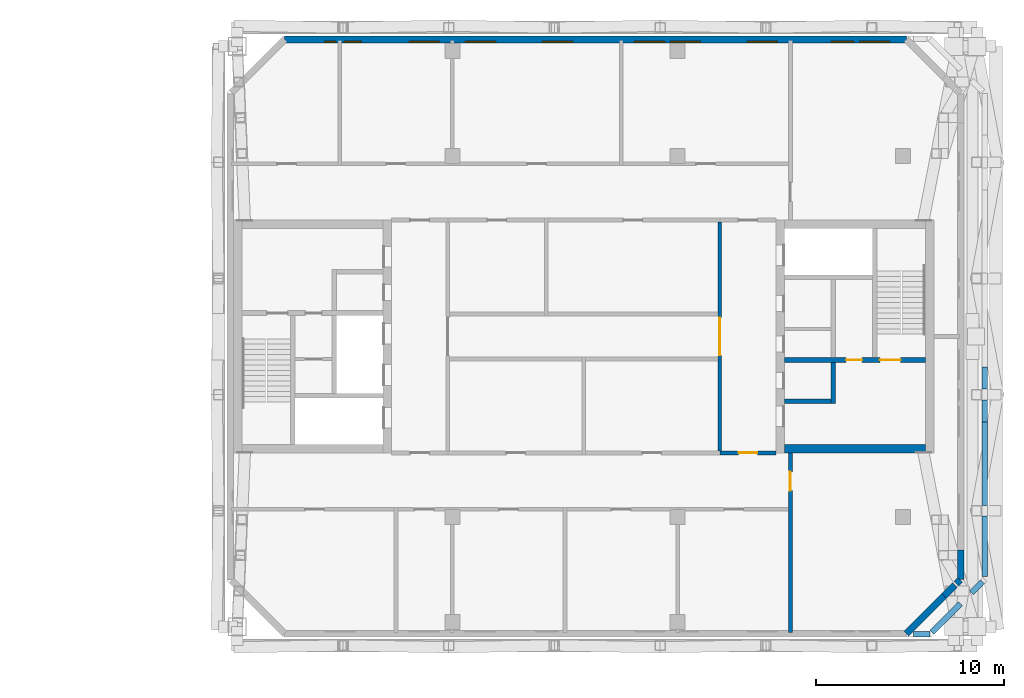
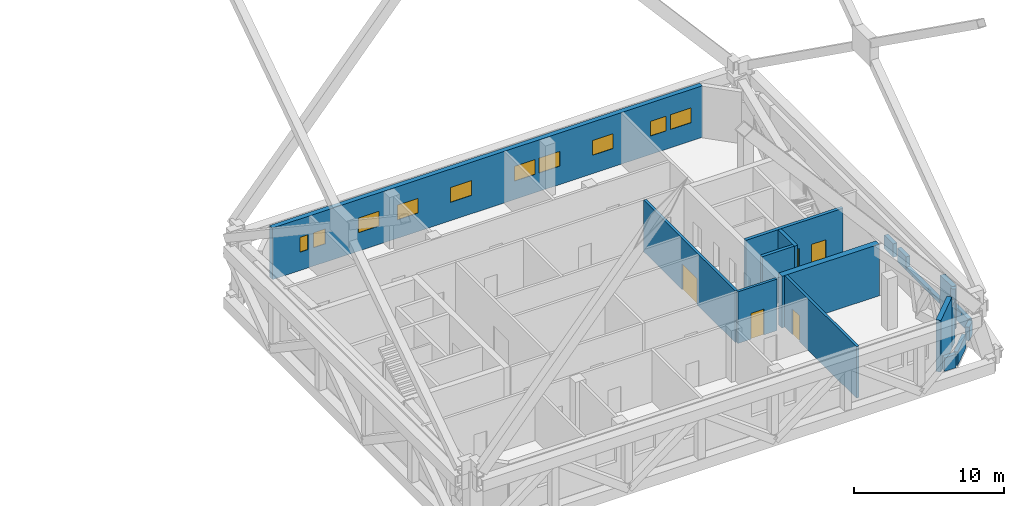
# One storey, part 13 of 20: 19 walls, 10 windows, 5 doors, 15 openings.
"""IFC4 building model written with IfcOpenShell, lengths in metres."""

from ifc_helpers import new_model, si_unit, direction, frame, frame_2d, origin, place, context, subcontext, project, spatial, rectangle, extrude, material, layer, layer_set, type_object, element, fill, save


model = new_model("IFC4")

# Units and contexts
model_context = context("Model", 3, precision=1e-05, world=origin(), true_north=direction((0.0, 1.0)))
body_context = subcontext(model_context, "Body", "Model", "MODEL_VIEW")
ifc_project = project(units=[si_unit("LENGTHUNIT", "METRE"), si_unit("AREAUNIT", "SQUARE_METRE"), si_unit("VOLUMEUNIT", "CUBIC_METRE"), si_unit("PLANEANGLEUNIT", "RADIAN"), si_unit("MASSUNIT", "GRAM", prefix="KILO")], contexts=[model_context])

# Site, building, storey
site_placement = place(None, origin())
site = spatial("IfcSite", under=ifc_project, at=site_placement, CompositionType="ELEMENT")
building_placement = place(site_placement, origin())
building = spatial("IfcBuilding", under=site, at=building_placement, Name="Tuart Gate Housing", CompositionType="ELEMENT")
storey_placement = place(building_placement, frame((0.0, 0.0, 167.10009765625)))
storey = spatial("IfcBuildingStorey", under=building, at=storey_placement, Name="L47", CompositionType="ELEMENT", Elevation=167.10009765625)

# Walls
ifc_material_1 = material(Name="Brick", Category="masonry")
ifc_layer_1 = layer(ifc_material_1, 0.300048828125)
ifc_layer_set_1 = layer_set([ifc_layer_1], Name="Brick parapet wall 300")
wall_type_1 = type_object("IfcWallType", Name="Brick parapet wall 300", PredefinedType="PARAPET", material=ifc_layer_set_1)
wall_1_placement = place(storey_placement, frame((167.550048828125, 54.14990234375, 0.0), z_axis=(0.0, 0.0, 1.0), x_axis=(1.0, 0.0, 0.0)))
element("IfcWall", 1, at=wall_1_placement, inside=storey, type_object=wall_type_1, Name="Roof parapet B 1", PredefinedType="PARAPET", context=body_context, shape_type="SweptSolid", body=[
    extrude(rectangle(XDim=0.887939453125, YDim=0.300048828125, at=frame_2d((0.44384765625, 0.0))), origin(), (0.0, 0.0, 1.0), 1.099853515625),
])
wall_2_placement = place(storey_placement, frame((168.54541015625, 54.257568359375, 0.0), z_axis=(0.0, 0.0, 1.0), x_axis=(0.707106781187, 0.707106781187, 0.0)))
element("IfcWall", 2, at=wall_2_placement, inside=storey, type_object=wall_type_1, Name="Roof parapet B 2", PredefinedType="PARAPET", context=body_context, shape_type="SweptSolid", body=[
    extrude(rectangle(XDim=2.148193359375, YDim=0.300048828125, at=frame_2d((1.07421875, 0.0))), origin(), (0.0, 0.0, 1.0), 1.099853515625),
])
wall_3_placement = place(storey_placement, frame((170.6484375, 56.360595703125, 0.0), z_axis=(0.0, 0.0, 1.0), x_axis=(0.706958244949, 0.707255286229, 0.0)))
element("IfcWall", 3, at=wall_3_placement, inside=storey, type_object=wall_type_1, Name="Roof parapet B 2", PredefinedType="PARAPET", context=body_context, shape_type="SweptSolid", body=[
    extrude(rectangle(XDim=0.822021484375, YDim=0.300048828125, at=frame_2d((0.4111328125, 0.0))), origin(), (0.0, 0.0, 1.0), 1.099853515625),
])
wall_4_placement = place(storey_placement, frame((171.35009765625, 57.214111328125, 0.0), z_axis=(0.0, 0.0, 1.0), x_axis=(0.0, 1.0, 0.0)))
element("IfcWall", 4, at=wall_4_placement, inside=storey, type_object=wall_type_1, Name="Roof parapet B 3", PredefinedType="PARAPET", context=body_context, shape_type="SweptSolid", body=[
    extrude(rectangle(XDim=3.23291015625, YDim=0.300048828125, at=frame_2d((1.616455078125, 0.0))), origin(), (0.0, 0.0, 1.0), 1.035888671875),
])
wall_5_placement = place(storey_placement, frame((171.35009765625, 61.012939453125, 0.0), z_axis=(0.0, 0.0, 1.0), x_axis=(0.0, 1.0, 0.0)))
element("IfcWall", 5, at=wall_5_placement, inside=storey, type_object=wall_type_1, Name="Roof parapet B 3", PredefinedType="PARAPET", context=body_context, shape_type="SweptSolid", body=[
    extrude(rectangle(XDim=4.42822265625, YDim=0.300048828125, at=frame_2d((2.214111328125, 0.0))), origin(), (0.0, 0.0, 1.0), 0.260009765625),
])
for number, where, z_axis, x_axis, name in (
    (6, (171.35009765625, 65.441162109375, 0.0), (0.0, 0.0, 1.0), (0.0, 1.0, 0.0), "Roof parapet B 3"),
    (7, (171.35009765625, 67.193115234375, 0.0), (0.0, 0.0, 1.0), (0.0, 1.0, 0.0), "Roof parapet B 3"),
):
    element("IfcWall", number, at=place(storey_placement, frame(where, z_axis=z_axis, x_axis=x_axis)), inside=storey, type_object=wall_type_1, Name=name, PredefinedType="PARAPET", context=body_context, shape_type="SweptSolid", body=[
        extrude(rectangle(XDim=1.185791015625, YDim=0.300048828125, at=frame_2d((0.5927734375, 0.0))), origin(), (0.0, 0.0, 1.0), 1.099853515625),
    ])
ifc_material_2 = material(Name="Brick", Category="masonry")
ifc_layer_2 = layer(ifc_material_2, 0.360107421875)
ifc_layer_set_2 = layer_set([ifc_layer_2], Name="Brick pier and spandrel wall 360")
wall_type_2 = type_object("IfcWallType", Name="Brick pier and spandrel wall 360", PredefinedType="STANDARD", material=ifc_layer_set_2)
wall_6_placement = place(storey_placement, frame((167.17529296875, 54.179931640625, 0.0), z_axis=(0.0, 0.0, 1.0), x_axis=(0.707106781187, 0.707106781187, 0.0)))
element("IfcWall", 8, at=wall_6_placement, inside=storey, type_object=wall_type_2, Name="External wall B-SE L47", PredefinedType="STANDARD", context=body_context, shape_type="SweptSolid", body=[
    extrude(rectangle(XDim=2.839111328125, YDim=0.360107421875, at=frame_2d((1.41943359375, 0.0))), origin(), (0.0, 0.0, 1.0), 4.199951171875),
])
wall_7_placement = place(storey_placement, frame((169.182861328125, 56.1875, 0.0), z_axis=(0.0, 0.0, 1.0), x_axis=(0.707255223877, 0.706958307327, 0.0)))
element("IfcWall", 9, at=wall_7_placement, inside=storey, type_object=wall_type_2, Name="External wall B-SE L47", PredefinedType="STANDARD", context=body_context, shape_type="SweptSolid", body=[
    extrude(rectangle(XDim=0.822265625, YDim=0.360107421875, at=frame_2d((0.4111328125, 0.0))), origin(), (0.0, 0.0, 1.0), 3.39697265625),
])
wall_8_placement = place(storey_placement, frame((169.838623046875, 56.84326171875, 0.952880859375), z_axis=(0.0, 0.0, 1.0), x_axis=(0.707106781187, 0.707106781187, 0.0)))
element("IfcWall", 10, at=wall_8_placement, inside=storey, type_object=wall_type_2, Name="External wall B-SE L47", PredefinedType="STANDARD", context=body_context, shape_type="SweptSolid", body=[
    extrude(rectangle(XDim=0.27734375, YDim=0.360107421875, at=frame_2d((0.138671875, 0.0))), origin(), (0.0, 0.0, 1.0), 3.2470703125),
])
wall_9_placement = place(storey_placement, frame((170.070068359375, 57.07470703125, 0.952880859375), z_axis=(0.0, 0.0, 1.0), x_axis=(0.0, 1.0, 0.0)))
element("IfcWall", 11, at=wall_9_placement, inside=storey, type_object=wall_type_2, Name="External wall B-E L47", PredefinedType="STANDARD", context=body_context, shape_type="SweptSolid", body=[
    extrude(rectangle(XDim=1.566650390625, YDim=0.360107421875, at=frame_2d((0.783203125, 0.0))), origin(), (0.0, 0.0, 1.0), 3.2470703125),
])

# Wall, openings, windows
wall_10_placement = place(storey_placement, frame((167.17529296875, 85.820068359375, 0.0), z_axis=(0.0, 0.0, 1.0), x_axis=(-1.0, 0.0, 0.0)))
wall_10 = element("IfcWall", 12, at=wall_10_placement, inside=storey, type_object=wall_type_2, Name="External wall B-N L47", PredefinedType="STANDARD", context=body_context, shape_type="SweptSolid", body=[
    extrude(rectangle(XDim=33.100830078125, YDim=0.360107421875, at=frame_2d((16.55029296875, 0.0))), origin(), (0.0, 0.0, 1.0), 4.199951171875),
])
opening_1_placement = place(wall_10_placement, frame((0.87548828125, 0.0, 1.5)))
opening_1 = element("IfcOpeningElement", 13, at=opening_1_placement, cuts=wall_10, Name="Opening W3", PredefinedType="OPENING", context=body_context, shape_type="SweptSolid", body=[
    extrude(rectangle(XDim=1.60009765625, YDim=1.199951171875, at=frame_2d((0.800048828125, 0.60009765625))), frame((0.0, 0.18994140625, 0.0), z_axis=(0.0, -1.0, 0.0), x_axis=(1.0, 0.0, 0.0)), (0.0, 0.0, 1.0), 0.380126953125),
])
opening_2_placement = place(wall_10_placement, frame((2.800048828125, 0.0, 1.5)))
opening_2 = element("IfcOpeningElement", 14, at=opening_2_placement, cuts=wall_10, Name="Opening W3A", PredefinedType="OPENING", context=body_context, shape_type="SweptSolid", body=[
    extrude(rectangle(XDim=1.199951171875, YDim=1.199951171875, at=frame_2d((0.60009765625, 0.60009765625))), frame((0.0, 0.18994140625, 0.0), z_axis=(0.0, -1.0, 0.0), x_axis=(1.0, 0.0, 0.0)), (0.0, 0.0, 1.0), 0.380126953125),
])
opening_3_placement = place(wall_10_placement, frame((6.87548828125, 0.0, 1.5)))
opening_3 = element("IfcOpeningElement", 15, at=opening_3_placement, cuts=wall_10, Name="Opening W3", PredefinedType="OPENING", context=body_context, shape_type="SweptSolid", body=[
    extrude(rectangle(XDim=1.60009765625, YDim=1.199951171875, at=frame_2d((0.800048828125, 0.60009765625))), frame((0.0, 0.18994140625, 0.0), z_axis=(0.0, -1.0, 0.0), x_axis=(1.0, 0.0, 0.0)), (0.0, 0.0, 1.0), 0.380126953125),
])
opening_4_placement = place(wall_10_placement, frame((10.975341796875, 0.0, 1.5)))
opening_4 = element("IfcOpeningElement", 16, at=opening_4_placement, cuts=wall_10, Name="Opening W3", PredefinedType="OPENING", context=body_context, shape_type="SweptSolid", body=[
    extrude(rectangle(XDim=1.60009765625, YDim=1.199951171875, at=frame_2d((0.800048828125, 0.60009765625))), frame((0.0, 0.18994140625, 0.0), z_axis=(0.0, -1.0, 0.0), x_axis=(1.0, 0.0, 0.0)), (0.0, 0.0, 1.0), 0.380126953125),
])
opening_5_placement = place(wall_10_placement, frame((12.87548828125, 0.0, 1.5)))
opening_5 = element("IfcOpeningElement", 17, at=opening_5_placement, cuts=wall_10, Name="Opening W3", PredefinedType="OPENING", context=body_context, shape_type="SweptSolid", body=[
    extrude(rectangle(XDim=1.60009765625, YDim=1.199951171875, at=frame_2d((0.800048828125, 0.60009765625))), frame((0.0, 0.18994140625, 0.0), z_axis=(0.0, -1.0, 0.0), x_axis=(1.0, 0.0, 0.0)), (0.0, 0.0, 1.0), 0.380126953125),
])
opening_6_placement = place(wall_10_placement, frame((17.775390625, 0.0, 1.5)))
opening_6 = element("IfcOpeningElement", 18, at=opening_6_placement, cuts=wall_10, Name="Opening W3", PredefinedType="OPENING", context=body_context, shape_type="SweptSolid", body=[
    extrude(rectangle(XDim=1.60009765625, YDim=1.199951171875, at=frame_2d((0.800048828125, 0.60009765625))), frame((0.0, 0.18994140625, 0.0), z_axis=(0.0, -1.0, 0.0), x_axis=(1.0, 0.0, 0.0)), (0.0, 0.0, 1.0), 0.380126953125),
])
opening_7_placement = place(wall_10_placement, frame((21.87548828125, 0.0, 1.5)))
opening_7 = element("IfcOpeningElement", 19, at=opening_7_placement, cuts=wall_10, Name="Opening W3", PredefinedType="OPENING", context=body_context, shape_type="SweptSolid", body=[
    extrude(rectangle(XDim=1.60009765625, YDim=1.199951171875, at=frame_2d((0.800048828125, 0.60009765625))), frame((0.0, 0.18994140625, 0.0), z_axis=(0.0, -1.0, 0.0), x_axis=(1.0, 0.0, 0.0)), (0.0, 0.0, 1.0), 0.380126953125),
])
opening_8_placement = place(wall_10_placement, frame((24.87548828125, 0.0, 1.5)))
opening_8 = element("IfcOpeningElement", 20, at=opening_8_placement, cuts=wall_10, Name="Opening W3", PredefinedType="OPENING", context=body_context, shape_type="SweptSolid", body=[
    extrude(rectangle(XDim=1.60009765625, YDim=1.199951171875, at=frame_2d((0.800048828125, 0.60009765625))), frame((0.0, 0.18994140625, 0.0), z_axis=(0.0, -1.0, 0.0), x_axis=(1.0, 0.0, 0.0)), (0.0, 0.0, 1.0), 0.380126953125),
])
opening_9_placement = place(wall_10_placement, frame((29.025390625, 0.0, 1.5)))
opening_9 = element("IfcOpeningElement", 21, at=opening_9_placement, cuts=wall_10, Name="Opening W3B", PredefinedType="OPENING", context=body_context, shape_type="SweptSolid", body=[
    extrude(rectangle(XDim=0.89990234375, YDim=1.199951171875, at=frame_2d((0.449951171875, 0.60009765625))), frame((0.0, 0.18994140625, 0.0), z_axis=(0.0, -1.0, 0.0), x_axis=(1.0, 0.0, 0.0)), (0.0, 0.0, 1.0), 0.380126953125),
])
opening_10_placement = place(wall_10_placement, frame((30.37548828125, 0.0, 1.5)))
opening_10 = element("IfcOpeningElement", 22, at=opening_10_placement, cuts=wall_10, Name="Opening W3C", PredefinedType="OPENING", context=body_context, shape_type="SweptSolid", body=[
    extrude(rectangle(XDim=0.60009765625, YDim=1.199951171875, at=frame_2d((0.300048828125, 0.60009765625))), frame((0.0, 0.18994140625, 0.0), z_axis=(0.0, -1.0, 0.0), x_axis=(1.0, 0.0, 0.0)), (0.0, 0.0, 1.0), 0.380126953125),
])
ifc_material_3 = material(Name="Aluminium louvre blades", Category="aluminium")
window_type_1 = type_object("IfcWindowType", Name="Louvre window 1200 x 1200", PartitioningType="DOUBLE_PANEL_HORIZONTAL", PredefinedType="WINDOW", material=ifc_material_3)
window_1_placement = place(opening_2_placement, origin())
window_1 = element("IfcWindow", 23, at=window_1_placement, inside=storey, type_object=window_type_1, Name="Louvre W3A", OverallHeight=1.199951171875, OverallWidth=1.199951171875, PartitioningType="DOUBLE_PANEL_HORIZONTAL", PredefinedType="WINDOW", context=body_context, shape_type="SweptSolid", body=[
    extrude(rectangle(XDim=1.199951171875, YDim=1.199951171875, at=frame_2d((0.60009765625, 0.60009765625))), frame((0.0, 0.150146484375, 0.0), z_axis=(0.0, -1.0, 0.0), x_axis=(1.0, 0.0, 0.0)), (0.0, 0.0, 1.0), 0.06005859375),
])
fill(opening_2, window_1)
ifc_material_4 = material(Name="Aluminium louvre blades", Category="aluminium")
window_type_2 = type_object("IfcWindowType", Name="Louvre window 1600 x 1200", PartitioningType="DOUBLE_PANEL_HORIZONTAL", PredefinedType="WINDOW", material=ifc_material_4)
window_2_placement = place(opening_1_placement, origin())
window_2 = element("IfcWindow", 24, at=window_2_placement, inside=storey, type_object=window_type_2, Name="Louvre W3", OverallHeight=1.199951171875, OverallWidth=1.60009765625, PartitioningType="DOUBLE_PANEL_HORIZONTAL", PredefinedType="WINDOW", context=body_context, shape_type="SweptSolid", body=[
    extrude(rectangle(XDim=1.60009765625, YDim=1.199951171875, at=frame_2d((0.800048828125, 0.60009765625))), frame((0.0, 0.150146484375, 0.0), z_axis=(0.0, -1.0, 0.0), x_axis=(1.0, 0.0, 0.0)), (0.0, 0.0, 1.0), 0.06005859375),
])
fill(opening_1, window_2)
window_3_placement = place(opening_3_placement, origin())
window_3 = element("IfcWindow", 25, at=window_3_placement, inside=storey, type_object=window_type_2, Name="Louvre W3", OverallHeight=1.199951171875, OverallWidth=1.60009765625, PartitioningType="DOUBLE_PANEL_HORIZONTAL", PredefinedType="WINDOW", context=body_context, shape_type="SweptSolid", body=[
    extrude(rectangle(XDim=1.60009765625, YDim=1.199951171875, at=frame_2d((0.800048828125, 0.60009765625))), frame((0.0, 0.150146484375, 0.0), z_axis=(0.0, -1.0, 0.0), x_axis=(1.0, 0.0, 0.0)), (0.0, 0.0, 1.0), 0.06005859375),
])
fill(opening_3, window_3)
window_4_placement = place(opening_4_placement, origin())
window_4 = element("IfcWindow", 26, at=window_4_placement, inside=storey, type_object=window_type_2, Name="Louvre W3", OverallHeight=1.199951171875, OverallWidth=1.60009765625, PartitioningType="DOUBLE_PANEL_HORIZONTAL", PredefinedType="WINDOW", context=body_context, shape_type="SweptSolid", body=[
    extrude(rectangle(XDim=1.60009765625, YDim=1.199951171875, at=frame_2d((0.800048828125, 0.60009765625))), frame((0.0, 0.150146484375, 0.0), z_axis=(0.0, -1.0, 0.0), x_axis=(1.0, 0.0, 0.0)), (0.0, 0.0, 1.0), 0.06005859375),
])
fill(opening_4, window_4)
window_5_placement = place(opening_5_placement, origin())
window_5 = element("IfcWindow", 27, at=window_5_placement, inside=storey, type_object=window_type_2, Name="Louvre W3", OverallHeight=1.199951171875, OverallWidth=1.60009765625, PartitioningType="DOUBLE_PANEL_HORIZONTAL", PredefinedType="WINDOW", context=body_context, shape_type="SweptSolid", body=[
    extrude(rectangle(XDim=1.60009765625, YDim=1.199951171875, at=frame_2d((0.800048828125, 0.60009765625))), frame((0.0, 0.150146484375, 0.0), z_axis=(0.0, -1.0, 0.0), x_axis=(1.0, 0.0, 0.0)), (0.0, 0.0, 1.0), 0.06005859375),
])
fill(opening_5, window_5)
window_6_placement = place(opening_6_placement, origin())
window_6 = element("IfcWindow", 28, at=window_6_placement, inside=storey, type_object=window_type_2, Name="Louvre W3", OverallHeight=1.199951171875, OverallWidth=1.60009765625, PartitioningType="DOUBLE_PANEL_HORIZONTAL", PredefinedType="WINDOW", context=body_context, shape_type="SweptSolid", body=[
    extrude(rectangle(XDim=1.60009765625, YDim=1.199951171875, at=frame_2d((0.800048828125, 0.60009765625))), frame((0.0, 0.150146484375, 0.0), z_axis=(0.0, -1.0, 0.0), x_axis=(1.0, 0.0, 0.0)), (0.0, 0.0, 1.0), 0.06005859375),
])
fill(opening_6, window_6)
window_7_placement = place(opening_7_placement, origin())
window_7 = element("IfcWindow", 29, at=window_7_placement, inside=storey, type_object=window_type_2, Name="Louvre W3", OverallHeight=1.199951171875, OverallWidth=1.60009765625, PartitioningType="DOUBLE_PANEL_HORIZONTAL", PredefinedType="WINDOW", context=body_context, shape_type="SweptSolid", body=[
    extrude(rectangle(XDim=1.60009765625, YDim=1.199951171875, at=frame_2d((0.800048828125, 0.60009765625))), frame((0.0, 0.150146484375, 0.0), z_axis=(0.0, -1.0, 0.0), x_axis=(1.0, 0.0, 0.0)), (0.0, 0.0, 1.0), 0.06005859375),
])
fill(opening_7, window_7)
window_8_placement = place(opening_8_placement, origin())
window_8 = element("IfcWindow", 30, at=window_8_placement, inside=storey, type_object=window_type_2, Name="Louvre W3", OverallHeight=1.199951171875, OverallWidth=1.60009765625, PartitioningType="DOUBLE_PANEL_HORIZONTAL", PredefinedType="WINDOW", context=body_context, shape_type="SweptSolid", body=[
    extrude(rectangle(XDim=1.60009765625, YDim=1.199951171875, at=frame_2d((0.800048828125, 0.60009765625))), frame((0.0, 0.150146484375, 0.0), z_axis=(0.0, -1.0, 0.0), x_axis=(1.0, 0.0, 0.0)), (0.0, 0.0, 1.0), 0.06005859375),
])
fill(opening_8, window_8)
ifc_material_5 = material(Name="Aluminium louvre blades", Category="aluminium")
window_type_3 = type_object("IfcWindowType", Name="Louvre window 600 x 1200", PartitioningType="DOUBLE_PANEL_HORIZONTAL", PredefinedType="WINDOW", material=ifc_material_5)
window_9_placement = place(opening_10_placement, origin())
window_9 = element("IfcWindow", 31, at=window_9_placement, inside=storey, type_object=window_type_3, Name="Louvre W3C", OverallHeight=1.199951171875, OverallWidth=0.60009765625, PartitioningType="DOUBLE_PANEL_HORIZONTAL", PredefinedType="WINDOW", context=body_context, shape_type="SweptSolid", body=[
    extrude(rectangle(XDim=0.60009765625, YDim=1.199951171875, at=frame_2d((0.300048828125, 0.60009765625))), frame((0.0, 0.150146484375, 0.0), z_axis=(0.0, -1.0, 0.0), x_axis=(1.0, 0.0, 0.0)), (0.0, 0.0, 1.0), 0.06005859375),
])
fill(opening_10, window_9)
ifc_material_6 = material(Name="Aluminium louvre blades", Category="aluminium")
window_type_4 = type_object("IfcWindowType", Name="Louvre window 900 x 1200", PartitioningType="DOUBLE_PANEL_HORIZONTAL", PredefinedType="WINDOW", material=ifc_material_6)
window_10_placement = place(opening_9_placement, origin())
window_10 = element("IfcWindow", 32, at=window_10_placement, inside=storey, type_object=window_type_4, Name="Louvre W3B", OverallHeight=1.199951171875, OverallWidth=0.89990234375, PartitioningType="DOUBLE_PANEL_HORIZONTAL", PredefinedType="WINDOW", context=body_context, shape_type="SweptSolid", body=[
    extrude(rectangle(XDim=0.89990234375, YDim=1.199951171875, at=frame_2d((0.449951171875, 0.60009765625))), frame((0.0, 0.150146484375, 0.0), z_axis=(0.0, -1.0, 0.0), x_axis=(1.0, 0.0, 0.0)), (0.0, 0.0, 1.0), 0.06005859375),
])
fill(opening_9, window_10)

# Wall, openings, doors
ifc_material_7 = material(Name="Concrete C40", Category="concrete")
ifc_layer_3 = layer(ifc_material_7, 0.25)
ifc_layer_set_3 = layer_set([ifc_layer_3], Name="Core wall 250 C40")
wall_type_3 = type_object("IfcWallType", Name="Core wall 250 C40", PredefinedType="SHEAR", material=ifc_layer_set_3)
wall_11_placement = place(storey_placement, frame((160.68994140625, 68.75, 0.0), z_axis=(0.0, 0.0, 1.0), x_axis=(1.0, 0.0, 0.0)))
wall_11 = element("IfcWall", 33, at=wall_11_placement, inside=storey, type_object=wall_type_3, Name="Core wall BK.3", PredefinedType="SHEAR", context=body_context, shape_type="SweptSolid", body=[
    extrude(rectangle(XDim=7.5, YDim=0.25, at=frame_2d((3.75, 0.0))), origin(), (0.0, 0.0, 1.0), 4.199951171875),
])
opening_11_placement = place(wall_11_placement, frame((5.074951171875, 0.0, 0.0)))
opening_11 = element("IfcOpeningElement", 34, at=opening_11_placement, cuts=wall_11, Name="Opening D3487", PredefinedType="OPENING", context=body_context, shape_type="SweptSolid", body=[
    extrude(rectangle(XDim=1.10009765625, YDim=2.10009765625, at=frame_2d((0.550048828125, 1.050048828125))), frame((0.0, 0.135009765625, 0.0), z_axis=(0.0, -1.0, 0.0), x_axis=(1.0, 0.0, 0.0)), (0.0, 0.0, 1.0), 0.27001953125),
])
opening_12_placement = place(wall_11_placement, frame((3.27490234375, 0.0, 0.0)))
opening_12 = element("IfcOpeningElement", 35, at=opening_12_placement, cuts=wall_11, Name="Opening D3486", PredefinedType="OPENING", context=body_context, shape_type="SweptSolid", body=[
    extrude(rectangle(XDim=0.85009765625, YDim=2.10009765625, at=frame_2d((0.425048828125, 1.050048828125))), frame((0.0, 0.135009765625, 0.0), z_axis=(0.0, -1.0, 0.0), x_axis=(1.0, 0.0, 0.0)), (0.0, 0.0, 1.0), 0.27001953125),
])
ifc_material_8 = material(Name="Steel fire door", Category="steel")
door_type_1 = type_object("IfcDoorType", Name="Riser door 850 x 2100", OperationType="SINGLE_SWING_LEFT", PredefinedType="DOOR", material=ifc_material_8)
door_1_placement = place(opening_12_placement, origin())
door_1 = element("IfcDoor", 36, at=door_1_placement, inside=storey, type_object=door_type_1, Name="Service room door BK.W1", OperationType="SINGLE_SWING_LEFT", OverallHeight=2.10009765625, OverallWidth=0.85009765625, PredefinedType="DOOR", context=body_context, shape_type="SweptSolid", body=[
    extrude(rectangle(XDim=0.85009765625, YDim=2.10009765625, at=frame_2d((0.425048828125, 1.050048828125))), frame((0.0, 0.02490234375, 0.0), z_axis=(0.0, -1.0, 0.0), x_axis=(1.0, 0.0, 0.0)), (0.0, 0.0, 1.0), 0.050048828125),
])
fill(opening_12, door_1)
ifc_material_9 = material(Name="Steel fire door", Category="steel")
door_type_2 = type_object("IfcDoorType", Name="Stair door 1100 x 2100", OperationType="SINGLE_SWING_LEFT", PredefinedType="DOOR", material=ifc_material_9)
door_2_placement = place(opening_11_placement, origin())
door_2 = element("IfcDoor", 37, at=door_2_placement, inside=storey, type_object=door_type_2, Name="Stair door BK.SD", OperationType="SINGLE_SWING_LEFT", OverallHeight=2.10009765625, OverallWidth=1.10009765625, PredefinedType="DOOR", context=body_context, shape_type="SweptSolid", body=[
    extrude(rectangle(XDim=1.10009765625, YDim=2.10009765625, at=frame_2d((0.550048828125, 1.050048828125))), frame((0.0, 0.02490234375, 0.0), z_axis=(0.0, -1.0, 0.0), x_axis=(1.0, 0.0, 0.0)), (0.0, 0.0, 1.0), 0.050048828125),
])
fill(opening_11, door_2)

# Walls
wall_12_placement = place(storey_placement, frame((160.68994140625, 66.550048828125, 0.0), z_axis=(0.0, 0.0, 1.0), x_axis=(1.0, 0.0, 0.0)))
element("IfcWall", 38, at=wall_12_placement, inside=storey, type_object=wall_type_3, Name="Core wall BK.4", PredefinedType="SHEAR", context=body_context, shape_type="SweptSolid", body=[
    extrude(rectangle(XDim=2.47509765625, YDim=0.25, at=frame_2d((1.237548828125, 0.0))), origin(), (0.0, 0.0, 1.0), 4.199951171875),
])
wall_13_placement = place(storey_placement, frame((163.2900390625, 68.625, 0.0), z_axis=(0.0, 0.0, 1.0), x_axis=(0.0, -1.0, 0.0)))
element("IfcWall", 39, at=wall_13_placement, inside=storey, type_object=wall_type_3, Name="Core wall BK.6", PredefinedType="SHEAR", context=body_context, shape_type="SweptSolid", body=[
    extrude(rectangle(XDim=2.199951171875, YDim=0.25, at=frame_2d((1.10009765625, 0.0))), origin(), (0.0, 0.0, 1.0), 4.199951171875),
])
ifc_material_10 = material(Name="Concrete C40", Category="concrete")
ifc_layer_4 = layer(ifc_material_10, 0.449951171875)
ifc_layer_set_4 = layer_set([ifc_layer_4], Name="Core wall 450 C40")
wall_type_4 = type_object("IfcWallType", Name="Core wall 450 C40", PredefinedType="SHEAR", material=ifc_layer_set_4)
wall_14_placement = place(storey_placement, frame((160.68994140625, 64.02490234375, 0.0), z_axis=(0.0, 0.0, 1.0), x_axis=(1.0, 0.0, 0.0)))
element("IfcWall", 40, at=wall_14_placement, inside=storey, type_object=wall_type_4, Name="Core wall BK north", PredefinedType="SHEAR", context=body_context, shape_type="SweptSolid", body=[
    extrude(rectangle(XDim=7.5, YDim=0.449951171875, at=frame_2d((3.75, 0.0))), origin(), (0.0, 0.0, 1.0), 4.199951171875),
])

# Wall, opening, door
ifc_material_11 = material(Name="Concrete masonry 15 MPa", Category="masonry")
ifc_layer_5 = layer(ifc_material_11, 0.199951171875)
ifc_layer_set_5 = layer_set([ifc_layer_5], Name="Enclosure wall masonry 200")
wall_type_5 = type_object("IfcWallType", Name="Enclosure wall masonry 200", PredefinedType="PARTITIONING", material=ifc_layer_set_5)
wall_15_placement = place(storey_placement, frame((157.239990234375, 63.800048828125, 0.0), z_axis=(0.0, 0.0, 1.0), x_axis=(1.0, 0.0, 0.0)))
wall_15 = element("IfcWall", 41, at=wall_15_placement, inside=storey, type_object=wall_type_5, Name="Enclosure wall masonry 200", PredefinedType="PARTITIONING", context=body_context, shape_type="SweptSolid", body=[
    extrude(rectangle(XDim=3.0, YDim=0.199951171875, at=frame_2d((1.5, 0.0))), origin(), (0.0, 0.0, 1.0), 4.199951171875),
])
opening_13_placement = place(wall_15_placement, frame((1.0, 0.0, 0.0)))
opening_13 = element("IfcOpeningElement", 42, at=opening_13_placement, cuts=wall_15, Name="Opening D3491", PredefinedType="OPENING", context=body_context, shape_type="SweptSolid", body=[
    extrude(rectangle(XDim=1.0, YDim=2.10009765625, at=frame_2d((0.5, 1.050048828125))), frame((0.0, 0.10986328125, 0.0), z_axis=(0.0, -1.0, 0.0), x_axis=(1.0, 0.0, 0.0)), (0.0, 0.0, 1.0), 0.219970703125),
])
ifc_material_12 = material(Name="Timber door leaf in steel frame", Category="steel")
door_type_3 = type_object("IfcDoorType", Name="Lobby door 1000", OperationType="SINGLE_SWING_LEFT", PredefinedType="DOOR", material=ifc_material_12)
door_3_placement = place(opening_13_placement, origin())
door_3 = element("IfcDoor", 43, at=door_3_placement, inside=storey, type_object=door_type_3, Name="Lobby door 1000", OperationType="SINGLE_SWING_LEFT", OverallHeight=2.10009765625, OverallWidth=1.0, PredefinedType="DOOR", context=body_context, shape_type="SweptSolid", body=[
    extrude(rectangle(XDim=1.0, YDim=2.10009765625, at=frame_2d((0.5, 1.050048828125))), frame((0.0, 0.02490234375, 0.0), z_axis=(0.0, -1.0, 0.0), x_axis=(1.0, 0.0, 0.0)), (0.0, 0.0, 1.0), 0.050048828125),
])
fill(opening_13, door_3)

wall_16_placement = place(storey_placement, frame((161.0, 54.239990234375, 0.0), z_axis=(0.0, 0.0, 1.0), x_axis=(0.0, 1.0, 0.0)))
wall_16 = element("IfcWall", 44, at=wall_16_placement, inside=storey, type_object=wall_type_5, Name="Enclosure wall masonry 200", PredefinedType="PARTITIONING", context=body_context, shape_type="SweptSolid", body=[
    extrude(rectangle(XDim=9.56005859375, YDim=0.199951171875, at=frame_2d((4.780029296875, 0.0))), origin(), (0.0, 0.0, 1.0), 4.199951171875),
])
opening_14_placement = place(wall_16_placement, frame((7.55908203125, 0.0, 0.0)))
opening_14 = element("IfcOpeningElement", 45, at=opening_14_placement, cuts=wall_16, Name="Opening D3497", PredefinedType="OPENING", context=body_context, shape_type="SweptSolid", body=[
    extrude(rectangle(XDim=1.0, YDim=2.10009765625, at=frame_2d((0.5, 1.050048828125))), frame((0.0, 0.10986328125, 0.0), z_axis=(0.0, -1.0, 0.0), x_axis=(1.0, 0.0, 0.0)), (0.0, 0.0, 1.0), 0.219970703125),
])
ifc_material_13 = material(Name="Timber door leaf in steel frame", Category="steel")
door_type_4 = type_object("IfcDoorType", Name="Fire door 1000", OperationType="SINGLE_SWING_LEFT", PredefinedType="DOOR", material=ifc_material_13)
door_4_placement = place(opening_14_placement, frame((1.0, 0.0, 0.0), z_axis=(0.0, 0.0, 1.0), x_axis=(-1.0, 0.0, 0.0)))
door_4 = element("IfcDoor", 46, at=door_4_placement, inside=storey, type_object=door_type_4, Name="Fire door 1000", OperationType="SINGLE_SWING_LEFT", OverallHeight=2.10009765625, OverallWidth=1.0, PredefinedType="DOOR", context=body_context, shape_type="SweptSolid", body=[
    extrude(rectangle(XDim=1.0, YDim=2.10009765625, at=frame_2d((0.5, 1.050048828125))), frame((0.0, 0.025146484375, 0.0), z_axis=(0.0, -1.0, 0.0), x_axis=(1.0, 0.0, 0.0)), (0.0, 0.0, 1.0), 0.050048828125),
])
fill(opening_14, door_4)

ifc_material_14 = material(Name="Plasterboard partition")
ifc_layer_6 = layer(ifc_material_14, 0.199951171875)
ifc_layer_set_6 = layer_set([ifc_layer_6], Name="Lobby wall 200")
wall_type_6 = type_object("IfcWallType", Name="Lobby wall 200", PredefinedType="PARTITIONING", material=ifc_layer_set_6)
wall_17_placement = place(storey_placement, frame((157.239990234375, 63.89990234375, 0.0), z_axis=(0.0, 0.0, 1.0), x_axis=(0.0, 1.0, 0.0)))
wall_17 = element("IfcWall", 47, at=wall_17_placement, inside=storey, type_object=wall_type_6, Name="Lift lobby wall BK", PredefinedType="PARTITIONING", context=body_context, shape_type="SweptSolid", body=[
    extrude(rectangle(XDim=12.2001953125, YDim=0.199951171875, at=frame_2d((6.10009765625, 0.0))), origin(), (0.0, 0.0, 1.0), 4.199951171875),
])
opening_15_placement = place(wall_17_placement, frame((5.10009765625, 0.0, 0.0)))
opening_15 = element("IfcOpeningElement", 48, at=opening_15_placement, cuts=wall_17, Name="Opening D3480", PredefinedType="OPENING", context=body_context, shape_type="SweptSolid", body=[
    extrude(rectangle(XDim=2.0, YDim=2.10009765625, at=frame_2d((1.0, 1.050048828125))), frame((0.0, 0.10986328125, 0.0), z_axis=(0.0, -1.0, 0.0), x_axis=(1.0, 0.0, 0.0)), (0.0, 0.0, 1.0), 0.219970703125),
])
ifc_material_15 = material(Name="Steel fire door", Category="steel")
door_type_5 = type_object("IfcDoorType", Name="Smoke door 2000 x 2100", OperationType="DOUBLE_DOOR_SINGLE_SWING", PredefinedType="DOOR", material=ifc_material_15)
door_5_placement = place(opening_15_placement, frame((2.0, 0.0, 0.0), z_axis=(0.0, 0.0, 1.0), x_axis=(-1.0, 0.0, 0.0)))
door_5 = element("IfcDoor", 49, at=door_5_placement, inside=storey, type_object=door_type_5, Name="Lift lobby smoke door BK", OperationType="DOUBLE_DOOR_SINGLE_SWING", OverallHeight=2.10009765625, OverallWidth=2.0, PredefinedType="DOOR", context=body_context, shape_type="SweptSolid", body=[
    extrude(rectangle(XDim=2.0, YDim=2.10009765625, at=frame_2d((1.0, 1.050048828125))), frame((0.0, 0.025146484375, 0.0), z_axis=(0.0, -1.0, 0.0), x_axis=(1.0, 0.0, 0.0)), (0.0, 0.0, 1.0), 0.050048828125),
])
fill(opening_15, door_5)

save(model, "model.ifc")
